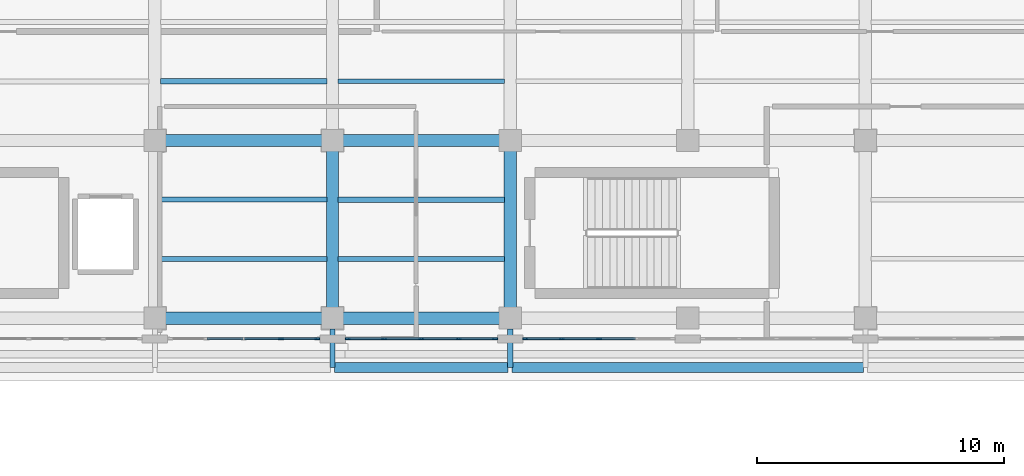
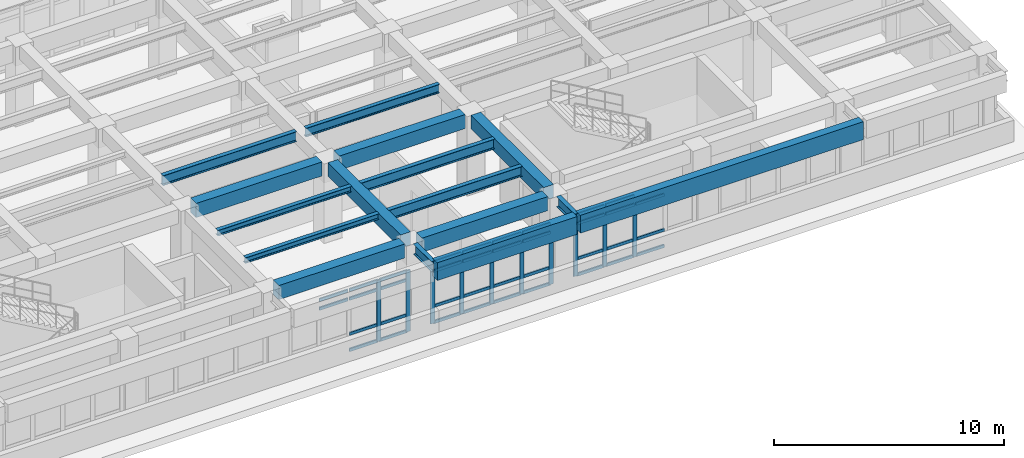
# One storey, part 10 of 69: 47 members, 16 beams, 3 elements without a shape of their own.
"""IFC4 building model written with IfcOpenShell, lengths in metres."""

import ifcopenshell
import ifcopenshell.guid

model = None  # the IFC model being written
_history = None  # IfcOwnerHistory: only IFC2X3 demands one
_inside = {}  # id of a spatial element -> (the spatial element, [elements in it])
_under = {}  # id of a project, library or spatial element -> (it, [spatial elements below it])
_declared = {}  # id of a project -> (the project, [libraries it declares])
_typed = {}  # id of a type object -> (the type object, [elements of that type])
_made_of = {}  # id of a material, layer set ... -> (it, [elements and type objects made of it])


def new_model(schema):
    """Start an empty IFC model of exactly this schema.

    Asked for "IFC4X3", IfcOpenShell would pick the latest addendum, in which some entities
    have other attributes; the version numbers below select the first issue.
    IFC2X3 requires an IfcOwnerHistory on every rooted entity: one is made here for all.
    """
    global model, _history
    if schema == "IFC4X3":
        model = ifcopenshell.file(schema_version=(4, 3, 0, 0))
    else:
        model = ifcopenshell.file(schema=schema)
    _inside.clear()
    _under.clear()
    _declared.clear()
    _typed.clear()
    _made_of.clear()
    _history = None
    if model.schema == "IFC2X3":
        org = make("IfcOrganization", Name="unknown")
        user = make(
            "IfcPersonAndOrganization",
            ThePerson=make("IfcPerson", FamilyName="unknown"),
            TheOrganization=org,
        )
        app = make(
            "IfcApplication",
            ApplicationDeveloper=org,
            Version="unknown",
            ApplicationFullName="unknown",
            ApplicationIdentifier="unknown",
        )
        _history = make(
            "IfcOwnerHistory",
            OwningUser=user,
            OwningApplication=app,
            ChangeAction="ADDED",
            CreationDate=0,
        )
    return model


def make(cls, **values):
    """One entity of the class cls with the attributes given. An attribute that is None is left unset."""
    return model.create_entity(
        cls, **{name: value for name, value in values.items() if value is not None}
    )


def rooted(cls, **values):
    """An entity with a GlobalId (a new one), such as an element, a storey or a relation."""
    return make(cls, GlobalId=ifcopenshell.guid.new(), OwnerHistory=_history, **values)


def si_unit(unit_type, name, prefix=None):
    """IfcSIUnit, for example si_unit("LENGTHUNIT", "METRE", prefix="MILLI")."""
    return make("IfcSIUnit", UnitType=unit_type, Prefix=prefix, Name=name)


def assignment(units):
    """IfcUnitAssignment: the units of a project."""
    return None if units is None else make("IfcUnitAssignment", Units=units)


def point(xyz):
    """IfcCartesianPoint."""
    return None if xyz is None else make("IfcCartesianPoint", Coordinates=xyz)


def direction(xyz):
    """IfcDirection."""
    return None if xyz is None else make("IfcDirection", DirectionRatios=xyz)


def frame(location, z_axis=None, x_axis=None):
    """IfcAxis2Placement3D, a coordinate frame: its origin and axes. An axis left out is left unset."""
    return make(
        "IfcAxis2Placement3D",
        Location=point(location),
        Axis=direction(z_axis),
        RefDirection=direction(x_axis),
    )


def frame_2d(location, x_axis=None):
    """IfcAxis2Placement2D, a coordinate frame in the plane: its origin and x axis."""
    return make(
        "IfcAxis2Placement2D", Location=point(location), RefDirection=direction(x_axis)
    )


def origin():
    """The frame at (0, 0, 0) with its axes left unset."""
    return frame((0.0, 0.0, 0.0))


def origin_2d():
    """The frame at (0, 0) in the plane with its x axis left unset."""
    return frame_2d((0.0, 0.0))


def place(relative_to, where):
    """IfcLocalPlacement: puts the frame where relative to a parent placement (None: the world)."""
    return make(
        "IfcLocalPlacement", PlacementRelTo=relative_to, RelativePlacement=where
    )


def context(
    kind, dimensions, precision=None, world=None, true_north=None, identifier=None
):
    """IfcGeometricRepresentationContext, for example the 3D "Model" context."""
    return make(
        "IfcGeometricRepresentationContext",
        ContextIdentifier=identifier,
        ContextType=kind,
        CoordinateSpaceDimension=dimensions,
        Precision=precision,
        WorldCoordinateSystem=world,
        TrueNorth=true_north,
    )


def subcontext(parent, identifier, kind, view, scale=None):
    """IfcGeometricRepresentationSubContext, for example "Body" below "Model"."""
    return make(
        "IfcGeometricRepresentationSubContext",
        ContextIdentifier=identifier,
        ContextType=kind,
        ParentContext=parent,
        TargetScale=scale,
        TargetView=view,
    )


def project(units=None, contexts=None):
    """IfcProject with its units and contexts."""
    return rooted(
        "IfcProject",
        Name="project",
        RepresentationContexts=contexts,
        UnitsInContext=assignment(units),
    )


def spatial(cls, under=None, at=None, **own):
    """A site, building, storey or space (cls), placed at a placement, below another one or the project."""
    s = rooted(cls, ObjectPlacement=at, **own)
    if under is not None:
        _under.setdefault(under.id(), (under, []))[1].append(s)
    return s


def profile(cls, at=None, kind="AREA", **sizes):
    """A parametric profile (cls). Its sizes go by their IFC names, for example OverallWidth=200.0."""
    return make(cls, ProfileType=kind, Position=at, **sizes)


def rectangle(**sizes):
    """IfcRectangleProfileDef."""
    return profile("IfcRectangleProfileDef", **sizes)


def i_section(**sizes):
    """IfcIShapeProfileDef."""
    return profile("IfcIShapeProfileDef", **sizes)


def extrude(swept, where, along, depth):
    """IfcExtrudedAreaSolid: the profile swept, set in the frame where, extruded along a direction by depth."""
    return make(
        "IfcExtrudedAreaSolid",
        SweptArea=swept,
        Position=where,
        ExtrudedDirection=direction(along),
        Depth=depth,
    )


def shape(context_of_items, identifier, shape_type, items):
    """IfcShapeRepresentation: the items that make up one representation, for example the "Body"."""
    return make(
        "IfcShapeRepresentation",
        ContextOfItems=context_of_items,
        RepresentationIdentifier=identifier,
        RepresentationType=shape_type,
        Items=items,
    )


def material(Name=None, Category=None):
    """IfcMaterial."""
    return make("IfcMaterial", Name=Name, Category=Category)


def layer(
    of_material, thickness, ventilated=None, Name=None, Category=None, Priority=None
):
    """IfcMaterialLayer: one layer of a wall or slab, of a material (None: an air gap)."""
    return make(
        "IfcMaterialLayer",
        Material=of_material,
        LayerThickness=thickness,
        IsVentilated=ventilated,
        Name=Name,
        Category=Category,
        Priority=Priority,
    )


def layer_set(layers, Name=None):
    """IfcMaterialLayerSet."""
    return make("IfcMaterialLayerSet", MaterialLayers=layers, LayerSetName=Name)


def material_profile(
    of_material, cross_section, Name=None, Category=None, Priority=None
):
    """IfcMaterialProfile: a cross section and its material."""
    return make(
        "IfcMaterialProfile",
        Name=Name,
        Material=of_material,
        Profile=cross_section,
        Priority=Priority,
        Category=Category,
    )


def profile_set(profiles, Name=None, composite=None):
    """IfcMaterialProfileSet."""
    return make(
        "IfcMaterialProfileSet",
        Name=Name,
        MaterialProfiles=profiles,
        CompositeProfile=composite,
    )


def made_of(thing, what):
    """Note that an element or type object is made of a material, layer set ...; save() writes the relation."""
    if what is not None:
        _made_of.setdefault(what.id(), (what, []))[1].append(thing)
    return thing


def type_object(cls, material=None, **own):
    """A type object (cls), such as IfcWallType, which elements share."""
    return made_of(rooted(cls, **own), material)


def element(
    cls,
    number,
    at=None,
    inside=None,
    cuts=None,
    type_object=None,
    material=None,
    context=None,
    identifier="Body",
    shape_type=None,
    held_by="IfcProductDefinitionShape",
    body=None,
    shapes=None,
    **own,
):
    """One element of the class cls, such as IfcWall. Its Tag is "e" and its number.

    at: its placement. inside: the storey or other place that contains it. cuts: it is an
    opening in that element (IfcRelVoidsElement). A single representation is given by context,
    identifier, shape_type and body (its items); several are given by shapes. held_by: the class
    of the entity that holds the representations. save() writes the other relations.
    """
    e = rooted(cls, Tag="e%d" % number, ObjectPlacement=at, **own)
    if body is not None:
        shapes = [shape(context, identifier, shape_type, body)]
    if shapes is not None:
        e.Representation = make(held_by, Representations=shapes)
    if inside is not None:
        _inside.setdefault(inside.id(), (inside, []))[1].append(e)
    if cuts is not None:
        rooted(
            "IfcRelVoidsElement", RelatingBuildingElement=cuts, RelatedOpeningElement=e
        )
    if type_object is not None:
        _typed.setdefault(type_object.id(), (type_object, []))[1].append(e)
    return made_of(e, material)


def aggregate(whole, parts):
    """IfcRelAggregates: a whole, such as a stair, and the parts it consists of."""
    return rooted("IfcRelAggregates", RelatingObject=whole, RelatedObjects=parts)


def save(model, path):
    """Write the relations noted so far, then the file.

    IfcRelAggregates (storeys below a building ...), IfcRelContainedInSpatialStructure (elements
    in a storey), IfcRelDefinesByType, IfcRelAssociatesMaterial and IfcRelDeclares: one each for
    every whole, place, type object, material and project.
    """
    for whole, parts in _under.values():
        aggregate(whole, parts)
    for where, things in _inside.values():
        rooted(
            "IfcRelContainedInSpatialStructure",
            RelatedElements=things,
            RelatingStructure=where,
        )
    for kind, things in _typed.values():
        rooted("IfcRelDefinesByType", RelatedObjects=things, RelatingType=kind)
    for what, things in _made_of.values():
        rooted("IfcRelAssociatesMaterial", RelatedObjects=things, RelatingMaterial=what)
    for by, libraries in _declared.values():
        rooted("IfcRelDeclares", RelatingContext=by, RelatedDefinitions=libraries)
    model.write(path)


model = new_model("IFC4")

# Units and contexts
model_context = context("Model", 3, precision=1e-05, world=origin(), true_north=direction((0.0, 1.0)))
body_context = subcontext(model_context, "Body", "Model", "MODEL_VIEW")
ifc_project = project(units=[si_unit("LENGTHUNIT", "METRE"), si_unit("AREAUNIT", "SQUARE_METRE"), si_unit("VOLUMEUNIT", "CUBIC_METRE"), si_unit("PLANEANGLEUNIT", "RADIAN"), si_unit("MASSUNIT", "GRAM", prefix="KILO")], contexts=[model_context])

# Site, building, storey
site_placement = place(None, origin())
site = spatial("IfcSite", under=ifc_project, at=site_placement, CompositionType="ELEMENT")
building_placement = place(site_placement, origin())
building = spatial("IfcBuilding", under=site, at=building_placement, Name="Solenvale Faculty of Natural Sciences", CompositionType="ELEMENT")
storey_placement = place(building_placement, frame((0.0, 0.0, 4.5)))
storey = spatial("IfcBuildingStorey", under=building, at=storey_placement, Name="L01", CompositionType="ELEMENT", Elevation=4.5)

# Beams
ifc_material_1 = material(Name="Concrete 40 MPa", Category="concrete")
ifc_material_profile_1 = material_profile(ifc_material_1, rectangle(XDim=0.5, YDim=0.699951171875, at=origin_2d()), Name="RC-BM-500x700")
ifc_profile_set_1 = profile_set([ifc_material_profile_1], Name="Concrete 40 MPa")
beam_type_1 = type_object("IfcBeamType", Name="BM-RC-500x700", PredefinedType="BEAM", material=ifc_profile_set_1)
for number, where, z_axis, x_axis, name in (
    (1, (86.39990234375, 22.030029296875, 3.8701171875), (0.0, 1.0, 0.0), (-1.0, 0.0, 0.0), "L01 Y-Girder X86.4 (21.6..28.8)"),
    (2, (93.60009765625, 22.030029296875, 3.8701171875), (0.0, 1.0, 0.0), (-1.0, 0.0, 0.0), "L01 Y-Girder X93.6 (21.6..28.8)"),
):
    element("IfcBeam", number, at=place(storey_placement, frame(where, z_axis=z_axis, x_axis=x_axis)), inside=storey, type_object=beam_type_1, Name=name, PredefinedType="BEAM", context=body_context, shape_type="SweptSolid", body=[
        extrude(rectangle(XDim=0.5, YDim=0.699951171875, at=origin_2d()), origin(), (0.0, 0.0, 1.0), 6.340087890625),
    ])
ifc_material_profile_2 = material_profile(ifc_material_1, rectangle(XDim=0.5, YDim=0.75, at=origin_2d()), Name="RC-BM-500x750")
ifc_profile_set_2 = profile_set([ifc_material_profile_2], Name="Concrete 40 MPa")
beam_type_2 = type_object("IfcBeamType", Name="BM-RC-500x750", PredefinedType="BEAM", material=ifc_profile_set_2)
beam_1_placement = place(storey_placement, frame((79.6298828125, 21.60009765625, 3.844970703125), z_axis=(1.0, 0.0, 0.0), x_axis=(0.0, 1.0, 0.0)))
element("IfcBeam", 3, at=beam_1_placement, inside=storey, type_object=beam_type_2, Name="L01 X-Girder Y21.6 (79.2..86.4)", PredefinedType="BEAM", context=body_context, shape_type="SweptSolid", body=[
    extrude(rectangle(XDim=0.5, YDim=0.75, at=origin_2d()), origin(), (0.0, 0.0, 1.0), 6.340087890625),
])
beam_2_placement = place(storey_placement, frame((86.830078125, 21.60009765625, 3.844970703125), z_axis=(1.0, 0.0, 0.0), x_axis=(0.0, 1.0, 0.0)))
element("IfcBeam", 4, at=beam_2_placement, inside=storey, type_object=beam_type_2, Name="L01 X-Girder Y21.6 (86.4..93.6)", PredefinedType="BEAM", context=body_context, shape_type="SweptSolid", body=[
    extrude(rectangle(XDim=0.5, YDim=0.75, at=origin_2d()), origin(), (0.0, 0.0, 1.0), 6.33984375),
])
beam_3_placement = place(storey_placement, frame((79.6298828125, 28.800048828125, 3.844970703125), z_axis=(1.0, 0.0, 0.0), x_axis=(0.0, 1.0, 0.0)))
element("IfcBeam", 5, at=beam_3_placement, inside=storey, type_object=beam_type_2, Name="L01 X-Girder Y28.8 (79.2..86.4)", PredefinedType="BEAM", context=body_context, shape_type="SweptSolid", body=[
    extrude(rectangle(XDim=0.5, YDim=0.75, at=origin_2d()), origin(), (0.0, 0.0, 1.0), 6.340087890625),
])
beam_4_placement = place(storey_placement, frame((86.830078125, 28.800048828125, 3.844970703125), z_axis=(1.0, 0.0, 0.0), x_axis=(0.0, 1.0, 0.0)))
element("IfcBeam", 6, at=beam_4_placement, inside=storey, type_object=beam_type_2, Name="L01 X-Girder Y28.8 (86.4..93.6)", PredefinedType="BEAM", context=body_context, shape_type="SweptSolid", body=[
    extrude(rectangle(XDim=0.5, YDim=0.75, at=origin_2d()), origin(), (0.0, 0.0, 1.0), 6.33984375),
])
ifc_material_2 = material(Name="Architectural bronze concrete 40 MPa", Category="concrete")
ifc_material_profile_3 = material_profile(ifc_material_2, rectangle(XDim=0.39990234375, YDim=0.949951171875, at=origin_2d()), Name="RC-SPN-400x950")
ifc_profile_set_3 = profile_set([ifc_material_profile_3], Name="Architectural bronze concrete 40 MPa")
beam_type_3 = type_object("IfcBeamType", Name="BM-SPN-BRZ-950", PredefinedType="SPANDREL", material=ifc_profile_set_3)
beam_5_placement = place(storey_placement, frame((86.47998046875, 19.60009765625, 3.7451171875), z_axis=(1.0, 0.0, 0.0), x_axis=(0.0, 1.0, 0.0)))
element("IfcBeam", 7, at=beam_5_placement, inside=storey, type_object=beam_type_3, Name="L02 Sliding-Tray South Bronze Fascia 4", PredefinedType="SPANDREL", context=body_context, shape_type="SweptSolid", body=[
    extrude(rectangle(XDim=0.39990234375, YDim=0.949951171875, at=origin_2d()), origin(), (0.0, 0.0, 1.0), 7.0400390625),
])
beam_6_placement = place(storey_placement, frame((93.679931640625, 19.60009765625, 3.7451171875), z_axis=(1.0, 0.0, 0.0), x_axis=(0.0, 1.0, 0.0)))
element("IfcBeam", 8, at=beam_6_placement, inside=storey, type_object=beam_type_3, Name="L02 Sliding-Tray South Bronze Fascia 5", PredefinedType="SPANDREL", context=body_context, shape_type="SweptSolid", body=[
    extrude(rectangle(XDim=0.39990234375, YDim=0.949951171875, at=origin_2d()), origin(), (0.0, 0.0, 1.0), 14.239990234375),
])
ifc_material_3 = material(Name="Steel S355", Category="steel")
ifc_material_profile_4 = material_profile(ifc_material_3, i_section(OverallWidth=0.202880859375, OverallDepth=0.302978515625, WebThickness=0.007568359375, FlangeThickness=0.01318359375, FilletRadius=0.014892578125, at=origin_2d()), Name="W310x60")
ifc_profile_set_4 = profile_set([ifc_material_profile_4], Name="Steel S355")
beam_type_4 = type_object("IfcBeamType", Name="BM-STL-W310x60", PredefinedType="JOIST", material=ifc_profile_set_4)
for number, where, z_axis, x_axis, name in (
    (9, (79.429931640625, 24.0, 4.068603515625), (1.0, 0.0, 0.0), (0.0, 1.0, 0.0), "L01 Composite Floor Joist (12,4).1"),
    (10, (79.429931640625, 26.39990234375, 4.068603515625), (1.0, 0.0, 0.0), (0.0, 1.0, 0.0), "L01 Composite Floor Joist (12,4).2"),
):
    element("IfcBeam", number, at=place(storey_placement, frame(where, z_axis=z_axis, x_axis=x_axis)), inside=storey, type_object=beam_type_4, Name=name, PredefinedType="JOIST", context=body_context, shape_type="SweptSolid", body=[
        extrude(i_section(OverallWidth=0.202880859375, OverallDepth=0.302978515625, WebThickness=0.007568359375, FlangeThickness=0.01318359375, FilletRadius=0.014892578125, at=origin_2d()), origin(), (0.0, 0.0, 1.0), 6.739990234375),
    ])
ifc_material_profile_5 = material_profile(ifc_material_3, i_section(OverallWidth=0.194091796875, OverallDepth=0.468994140625, WebThickness=0.0126953125, FlangeThickness=0.0205078125, FilletRadius=0.01806640625, at=origin_2d()), Name="W460x106")
ifc_profile_set_5 = profile_set([ifc_material_profile_5], Name="Steel S355")
beam_type_5 = type_object("IfcBeamType", Name="BM-STL-W460x106", PredefinedType="JOIST", material=ifc_profile_set_5)
beam_7_placement = place(storey_placement, frame((86.6298828125, 31.199951171875, 3.985595703125), z_axis=(1.0, 0.0, 0.0), x_axis=(0.0, 1.0, 0.0)))
element("IfcBeam", 11, at=beam_7_placement, inside=storey, type_object=beam_type_5, Name="L01 Composite Floor Joist (13,5).1", PredefinedType="JOIST", context=body_context, shape_type="SweptSolid", body=[
    extrude(i_section(OverallWidth=0.194091796875, OverallDepth=0.468994140625, WebThickness=0.0126953125, FlangeThickness=0.0205078125, FilletRadius=0.01806640625, at=origin_2d()), origin(), (0.0, 0.0, 1.0), 6.740234375),
])
ifc_material_profile_6 = material_profile(ifc_material_3, i_section(OverallWidth=0.2119140625, OverallDepth=0.5439453125, WebThickness=0.01318359375, FlangeThickness=0.021240234375, FilletRadius=0.01904296875, at=origin_2d()), Name="W530x123")
ifc_profile_set_6 = profile_set([ifc_material_profile_6], Name="Steel S355")
beam_type_6 = type_object("IfcBeamType", Name="BM-STL-W530x123", PredefinedType="BEAM", material=ifc_profile_set_6)
for number, where, z_axis, x_axis, name in (
    (12, (86.39990234375, 21.169921875, 3.947998046875), (0.0, -1.0, 0.0), (1.0, 0.0, 0.0), "L01 V4 Cantilever Tray Girder X86.4"),
    (13, (93.60009765625, 21.169921875, 3.947998046875), (0.0, -1.0, 0.0), (1.0, 0.0, 0.0), "L01 V4 Cantilever Tray Girder X93.6"),
):
    element("IfcBeam", number, at=place(storey_placement, frame(where, z_axis=z_axis, x_axis=x_axis)), inside=storey, type_object=beam_type_6, Name=name, PredefinedType="BEAM", context=body_context, shape_type="SweptSolid", body=[
        extrude(i_section(OverallWidth=0.2119140625, OverallDepth=0.5439453125, WebThickness=0.01318359375, FlangeThickness=0.021240234375, FilletRadius=0.01904296875, at=origin_2d()), origin(), (0.0, 0.0, 1.0), 1.56982421875),
    ])
ifc_material_profile_7 = material_profile(ifc_material_3, i_section(OverallWidth=0.208984375, OverallDepth=0.532958984375, WebThickness=0.01025390625, FlangeThickness=0.015625, FilletRadius=0.01904296875, at=origin_2d()), Name="W530x92")
ifc_profile_set_7 = profile_set([ifc_material_profile_7], Name="Steel S355")
beam_type_7 = type_object("IfcBeamType", Name="BM-STL-W530x92", PredefinedType="JOIST", material=ifc_profile_set_7)
beam_8_placement = place(storey_placement, frame((79.429931640625, 31.199951171875, 3.95361328125), z_axis=(1.0, 0.0, 0.0), x_axis=(0.0, 1.0, 0.0)))
element("IfcBeam", 14, at=beam_8_placement, inside=storey, type_object=beam_type_7, Name="L01 Composite Floor Joist (12,5).1", PredefinedType="JOIST", context=body_context, shape_type="SweptSolid", body=[
    extrude(i_section(OverallWidth=0.208984375, OverallDepth=0.532958984375, WebThickness=0.01025390625, FlangeThickness=0.015625, FilletRadius=0.01904296875, at=origin_2d()), origin(), (0.0, 0.0, 1.0), 6.739990234375),
])
for number, where, z_axis, x_axis, name in (
    (15, (86.6298828125, 24.0, 3.95361328125), (1.0, 0.0, 0.0), (0.0, 1.0, 0.0), "L01 Composite Floor Joist (13,4).1"),
    (16, (86.6298828125, 26.39990234375, 3.95361328125), (1.0, 0.0, 0.0), (0.0, 1.0, 0.0), "L01 Composite Floor Joist (13,4).2"),
):
    element("IfcBeam", number, at=place(storey_placement, frame(where, z_axis=z_axis, x_axis=x_axis)), inside=storey, type_object=beam_type_7, Name=name, PredefinedType="JOIST", context=body_context, shape_type="SweptSolid", body=[
        extrude(i_section(OverallWidth=0.208984375, OverallDepth=0.532958984375, WebThickness=0.01025390625, FlangeThickness=0.015625, FilletRadius=0.01904296875, at=origin_2d()), origin(), (0.0, 0.0, 1.0), 6.740234375),
    ])

# Curtain wall, members
ifc_material_4 = material(Name="Anodised bronze aluminium", Category="aluminium")
ifc_layer = layer(ifc_material_4, 0.18994140625)
ifc_layer_set = layer_set([ifc_layer], Name="Anodised bronze aluminium")
curtain_wall_type = type_object("IfcCurtainWallType", Name="CW-TRAY-REC", PredefinedType="USERDEFINED", material=ifc_layer_set)
curtain_wall_1_placement = place(storey_placement, origin())
curtain_wall_1 = element("IfcCurtainWall", 17, at=curtain_wall_1_placement, inside=storey, type_object=curtain_wall_type, Name="L01 Curtain Wall CW-L01-P1-E5-B4", ObjectType="UNITISED CURTAIN WALL", PredefinedType="USERDEFINED")
ifc_material_profile_8 = material_profile(ifc_material_4, rectangle(XDim=0.074951171875, YDim=0.2099609375, at=origin_2d()), Name="ALU-MUL-75x210")
ifc_profile_set_8 = profile_set([ifc_material_profile_8], Name="Anodised bronze aluminium")
member_type_1 = type_object("IfcMemberType", Name="CWM-ALU-75x210", PredefinedType="MULLION", material=ifc_profile_set_8)
member_1_placement = place(storey_placement, frame((84.31005859375, 20.762451171875, 0.0), z_axis=(0.0, 0.0, 1.0), x_axis=(0.0, 1.0, 0.0)))
member_1 = element("IfcMember", 18, at=member_1_placement, type_object=member_type_1, Name="CW-02 mullion 4", PredefinedType="MULLION", context=body_context, shape_type="SweptSolid", body=[
    extrude(rectangle(XDim=0.074951171875, YDim=0.2099609375, at=origin_2d()), origin(), (0.0, 0.0, 1.0), 3.260009765625),
])
member_2_placement = place(storey_placement, frame((85.782470703125, 20.762451171875, 0.0), z_axis=(0.0, 0.0, 1.0), x_axis=(0.0, 1.0, 0.0)))
member_2 = element("IfcMember", 19, at=member_2_placement, type_object=member_type_1, Name="CW-02 mullion 5", PredefinedType="MULLION", context=body_context, shape_type="SweptSolid", body=[
    extrude(rectangle(XDim=0.074951171875, YDim=0.2099609375, at=origin_2d()), origin(), (0.0, 0.0, 1.0), 3.260009765625),
])

curtain_wall_2_placement = place(storey_placement, origin())
curtain_wall_2 = element("IfcCurtainWall", 20, at=curtain_wall_2_placement, inside=storey, type_object=curtain_wall_type, Name="L01 Curtain Wall CW-L01-P1-E5-B5", ObjectType="UNITISED CURTAIN WALL", PredefinedType="USERDEFINED")
member_3_placement = place(storey_placement, frame((87.017578125, 20.762451171875, 0.0), z_axis=(0.0, 0.0, 1.0), x_axis=(0.0, 1.0, 0.0)))
member_3 = element("IfcMember", 21, at=member_3_placement, type_object=member_type_1, Name="CW-02 mullion 1", PredefinedType="MULLION", context=body_context, shape_type="SweptSolid", body=[
    extrude(rectangle(XDim=0.074951171875, YDim=0.2099609375, at=origin_2d()), origin(), (0.0, 0.0, 1.0), 3.260009765625),
])
member_4_placement = place(storey_placement, frame((88.489990234375, 20.762451171875, 0.0), z_axis=(0.0, 0.0, 1.0), x_axis=(0.0, 1.0, 0.0)))
member_4 = element("IfcMember", 22, at=member_4_placement, type_object=member_type_1, Name="CW-02 mullion 2", PredefinedType="MULLION", context=body_context, shape_type="SweptSolid", body=[
    extrude(rectangle(XDim=0.074951171875, YDim=0.2099609375, at=origin_2d()), origin(), (0.0, 0.0, 1.0), 3.260009765625),
])
member_5_placement = place(storey_placement, frame((90.0, 20.762451171875, 0.0), z_axis=(0.0, 0.0, 1.0), x_axis=(0.0, 1.0, 0.0)))
member_5 = element("IfcMember", 23, at=member_5_placement, type_object=member_type_1, Name="CW-02 mullion 3", PredefinedType="MULLION", context=body_context, shape_type="SweptSolid", body=[
    extrude(rectangle(XDim=0.074951171875, YDim=0.2099609375, at=origin_2d()), origin(), (0.0, 0.0, 1.0), 3.260009765625),
])
member_6_placement = place(storey_placement, frame((91.510009765625, 20.762451171875, 0.0), z_axis=(0.0, 0.0, 1.0), x_axis=(0.0, 1.0, 0.0)))
member_6 = element("IfcMember", 24, at=member_6_placement, type_object=member_type_1, Name="CW-02 mullion 4", PredefinedType="MULLION", context=body_context, shape_type="SweptSolid", body=[
    extrude(rectangle(XDim=0.074951171875, YDim=0.2099609375, at=origin_2d()), origin(), (0.0, 0.0, 1.0), 3.260009765625),
])
member_7_placement = place(storey_placement, frame((92.982421875, 20.762451171875, 0.0), z_axis=(0.0, 0.0, 1.0), x_axis=(0.0, 1.0, 0.0)))
member_7 = element("IfcMember", 25, at=member_7_placement, type_object=member_type_1, Name="CW-02 mullion 5", PredefinedType="MULLION", context=body_context, shape_type="SweptSolid", body=[
    extrude(rectangle(XDim=0.074951171875, YDim=0.2099609375, at=origin_2d()), origin(), (0.0, 0.0, 1.0), 3.260009765625),
])

curtain_wall_3_placement = place(storey_placement, origin())
curtain_wall_3 = element("IfcCurtainWall", 26, at=curtain_wall_3_placement, inside=storey, type_object=curtain_wall_type, Name="L01 Curtain Wall CW-L01-P1-E5-B6", ObjectType="UNITISED CURTAIN WALL", PredefinedType="USERDEFINED")
member_8_placement = place(storey_placement, frame((94.217529296875, 20.762451171875, 0.0), z_axis=(0.0, 0.0, 1.0), x_axis=(0.0, 1.0, 0.0)))
member_8 = element("IfcMember", 27, at=member_8_placement, type_object=member_type_1, Name="CW-02 mullion 1", PredefinedType="MULLION", context=body_context, shape_type="SweptSolid", body=[
    extrude(rectangle(XDim=0.074951171875, YDim=0.2099609375, at=origin_2d()), origin(), (0.0, 0.0, 1.0), 3.260009765625),
])
member_9_placement = place(storey_placement, frame((95.68994140625, 20.762451171875, 0.0), z_axis=(0.0, 0.0, 1.0), x_axis=(0.0, 1.0, 0.0)))
member_9 = element("IfcMember", 28, at=member_9_placement, type_object=member_type_1, Name="CW-02 mullion 2", PredefinedType="MULLION", context=body_context, shape_type="SweptSolid", body=[
    extrude(rectangle(XDim=0.074951171875, YDim=0.2099609375, at=origin_2d()), origin(), (0.0, 0.0, 1.0), 3.260009765625),
])
member_10_placement = place(storey_placement, frame((97.199951171875, 20.762451171875, 0.0), z_axis=(0.0, 0.0, 1.0), x_axis=(0.0, 1.0, 0.0)))
member_10 = element("IfcMember", 29, at=member_10_placement, type_object=member_type_1, Name="CW-02 mullion 3", PredefinedType="MULLION", context=body_context, shape_type="SweptSolid", body=[
    extrude(rectangle(XDim=0.074951171875, YDim=0.2099609375, at=origin_2d()), origin(), (0.0, 0.0, 1.0), 3.260009765625),
])

# Member
ifc_material_profile_9 = material_profile(ifc_material_4, rectangle(XDim=0.074951171875, YDim=0.155029296875, at=origin_2d()), Name="ALU-TRN-75x155")
ifc_profile_set_9 = profile_set([ifc_material_profile_9], Name="Anodised bronze aluminium")
member_type_2 = type_object("IfcMemberType", Name="CWT-ALU-75x155", PredefinedType="USERDEFINED", material=ifc_profile_set_9)
member_11_placement = place(storey_placement, frame((81.327392578125, 20.762451171875, 2.760009765625), z_axis=(1.0, 0.0, 0.0), x_axis=(0.0, 1.0, 0.0)))
member_11 = element("IfcMember", 30, at=member_11_placement, type_object=member_type_2, Name="CW-02 transom 2.3", ObjectType="TRANSOM", PredefinedType="USERDEFINED", context=body_context, shape_type="SweptSolid", body=[
    extrude(rectangle(XDim=0.074951171875, YDim=0.155029296875, at=origin_2d()), origin(), (0.0, 0.0, 1.0), 1.43505859375),
])

member_12_placement = place(storey_placement, frame((81.327392578125, 20.762451171875, 3.222412109375), z_axis=(1.0, 0.0, 0.0), x_axis=(0.0, 1.0, 0.0)))
member_12 = element("IfcMember", 31, at=member_12_placement, type_object=member_type_2, Name="CW-02 transom 2.4", ObjectType="TRANSOM", PredefinedType="USERDEFINED", context=body_context, shape_type="SweptSolid", body=[
    extrude(rectangle(XDim=0.074951171875, YDim=0.155029296875, at=origin_2d()), origin(), (0.0, 0.0, 1.0), 1.43505859375),
])

member_13_placement = place(storey_placement, frame((82.83740234375, 20.762451171875, 0.03759765625), z_axis=(1.0, 0.0, 0.0), x_axis=(0.0, 1.0, 0.0)))
member_13 = element("IfcMember", 32, at=member_13_placement, type_object=member_type_2, Name="CW-02 transom 3.1", ObjectType="TRANSOM", PredefinedType="USERDEFINED", context=body_context, shape_type="SweptSolid", body=[
    extrude(rectangle(XDim=0.074951171875, YDim=0.155029296875, at=origin_2d()), origin(), (0.0, 0.0, 1.0), 1.43505859375),
])

member_14_placement = place(storey_placement, frame((82.83740234375, 20.762451171875, 0.89990234375), z_axis=(1.0, 0.0, 0.0), x_axis=(0.0, 1.0, 0.0)))
member_14 = element("IfcMember", 33, at=member_14_placement, type_object=member_type_2, Name="CW-02 transom 3.2", ObjectType="TRANSOM", PredefinedType="USERDEFINED", context=body_context, shape_type="SweptSolid", body=[
    extrude(rectangle(XDim=0.074951171875, YDim=0.155029296875, at=origin_2d()), origin(), (0.0, 0.0, 1.0), 1.43505859375),
])

member_15_placement = place(storey_placement, frame((82.83740234375, 20.762451171875, 2.760009765625), z_axis=(1.0, 0.0, 0.0), x_axis=(0.0, 1.0, 0.0)))
member_15 = element("IfcMember", 34, at=member_15_placement, type_object=member_type_2, Name="CW-02 transom 3.3", ObjectType="TRANSOM", PredefinedType="USERDEFINED", context=body_context, shape_type="SweptSolid", body=[
    extrude(rectangle(XDim=0.074951171875, YDim=0.155029296875, at=origin_2d()), origin(), (0.0, 0.0, 1.0), 1.43505859375),
])

member_16_placement = place(storey_placement, frame((82.83740234375, 20.762451171875, 3.222412109375), z_axis=(1.0, 0.0, 0.0), x_axis=(0.0, 1.0, 0.0)))
member_16 = element("IfcMember", 35, at=member_16_placement, type_object=member_type_2, Name="CW-02 transom 3.4", ObjectType="TRANSOM", PredefinedType="USERDEFINED", context=body_context, shape_type="SweptSolid", body=[
    extrude(rectangle(XDim=0.074951171875, YDim=0.155029296875, at=origin_2d()), origin(), (0.0, 0.0, 1.0), 1.43505859375),
])

member_17_placement = place(storey_placement, frame((84.347412109375, 20.762451171875, 0.03759765625), z_axis=(1.0, 0.0, 0.0), x_axis=(0.0, 1.0, 0.0)))
member_17 = element("IfcMember", 36, at=member_17_placement, type_object=member_type_2, Name="CW-02 transom 4.1", ObjectType="TRANSOM", PredefinedType="USERDEFINED", context=body_context, shape_type="SweptSolid", body=[
    extrude(rectangle(XDim=0.074951171875, YDim=0.155029296875, at=origin_2d()), origin(), (0.0, 0.0, 1.0), 1.397705078125),
])

member_18_placement = place(storey_placement, frame((84.347412109375, 20.762451171875, 0.89990234375), z_axis=(1.0, 0.0, 0.0), x_axis=(0.0, 1.0, 0.0)))
member_18 = element("IfcMember", 37, at=member_18_placement, type_object=member_type_2, Name="CW-02 transom 4.2", ObjectType="TRANSOM", PredefinedType="USERDEFINED", context=body_context, shape_type="SweptSolid", body=[
    extrude(rectangle(XDim=0.074951171875, YDim=0.155029296875, at=origin_2d()), origin(), (0.0, 0.0, 1.0), 1.397705078125),
])

member_19_placement = place(storey_placement, frame((84.347412109375, 20.762451171875, 2.760009765625), z_axis=(1.0, 0.0, 0.0), x_axis=(0.0, 1.0, 0.0)))
member_19 = element("IfcMember", 38, at=member_19_placement, type_object=member_type_2, Name="CW-02 transom 4.3", ObjectType="TRANSOM", PredefinedType="USERDEFINED", context=body_context, shape_type="SweptSolid", body=[
    extrude(rectangle(XDim=0.074951171875, YDim=0.155029296875, at=origin_2d()), origin(), (0.0, 0.0, 1.0), 1.397705078125),
])

member_20_placement = place(storey_placement, frame((84.347412109375, 20.762451171875, 3.222412109375), z_axis=(1.0, 0.0, 0.0), x_axis=(0.0, 1.0, 0.0)))
member_20 = element("IfcMember", 39, at=member_20_placement, type_object=member_type_2, Name="CW-02 transom 4.4", ObjectType="TRANSOM", PredefinedType="USERDEFINED", context=body_context, shape_type="SweptSolid", body=[
    extrude(rectangle(XDim=0.074951171875, YDim=0.155029296875, at=origin_2d()), origin(), (0.0, 0.0, 1.0), 1.397705078125),
])

aggregate(curtain_wall_1, [member_1, member_2, member_11, member_12, member_13, member_14, member_15, member_16, member_17, member_18, member_19, member_20])

member_21_placement = place(storey_placement, frame((87.054931640625, 20.762451171875, 0.03759765625), z_axis=(1.0, 0.0, 0.0), x_axis=(0.0, 1.0, 0.0)))
member_21 = element("IfcMember", 40, at=member_21_placement, type_object=member_type_2, Name="CW-02 transom 1.1", ObjectType="TRANSOM", PredefinedType="USERDEFINED", context=body_context, shape_type="SweptSolid", body=[
    extrude(rectangle(XDim=0.074951171875, YDim=0.155029296875, at=origin_2d()), origin(), (0.0, 0.0, 1.0), 1.3974609375),
])

member_22_placement = place(storey_placement, frame((87.054931640625, 20.762451171875, 0.89990234375), z_axis=(1.0, 0.0, 0.0), x_axis=(0.0, 1.0, 0.0)))
member_22 = element("IfcMember", 41, at=member_22_placement, type_object=member_type_2, Name="CW-02 transom 1.2", ObjectType="TRANSOM", PredefinedType="USERDEFINED", context=body_context, shape_type="SweptSolid", body=[
    extrude(rectangle(XDim=0.074951171875, YDim=0.155029296875, at=origin_2d()), origin(), (0.0, 0.0, 1.0), 1.3974609375),
])

member_23_placement = place(storey_placement, frame((87.054931640625, 20.762451171875, 2.760009765625), z_axis=(1.0, 0.0, 0.0), x_axis=(0.0, 1.0, 0.0)))
member_23 = element("IfcMember", 42, at=member_23_placement, type_object=member_type_2, Name="CW-02 transom 1.3", ObjectType="TRANSOM", PredefinedType="USERDEFINED", context=body_context, shape_type="SweptSolid", body=[
    extrude(rectangle(XDim=0.074951171875, YDim=0.155029296875, at=origin_2d()), origin(), (0.0, 0.0, 1.0), 1.3974609375),
])

member_24_placement = place(storey_placement, frame((87.054931640625, 20.762451171875, 3.222412109375), z_axis=(1.0, 0.0, 0.0), x_axis=(0.0, 1.0, 0.0)))
member_24 = element("IfcMember", 43, at=member_24_placement, type_object=member_type_2, Name="CW-02 transom 1.4", ObjectType="TRANSOM", PredefinedType="USERDEFINED", context=body_context, shape_type="SweptSolid", body=[
    extrude(rectangle(XDim=0.074951171875, YDim=0.155029296875, at=origin_2d()), origin(), (0.0, 0.0, 1.0), 1.3974609375),
])

member_25_placement = place(storey_placement, frame((88.527587890625, 20.762451171875, 0.03759765625), z_axis=(1.0, 0.0, 0.0), x_axis=(0.0, 1.0, 0.0)))
member_25 = element("IfcMember", 44, at=member_25_placement, type_object=member_type_2, Name="CW-02 transom 2.1", ObjectType="TRANSOM", PredefinedType="USERDEFINED", context=body_context, shape_type="SweptSolid", body=[
    extrude(rectangle(XDim=0.074951171875, YDim=0.155029296875, at=origin_2d()), origin(), (0.0, 0.0, 1.0), 1.434814453125),
])

member_26_placement = place(storey_placement, frame((88.527587890625, 20.762451171875, 0.89990234375), z_axis=(1.0, 0.0, 0.0), x_axis=(0.0, 1.0, 0.0)))
member_26 = element("IfcMember", 45, at=member_26_placement, type_object=member_type_2, Name="CW-02 transom 2.2", ObjectType="TRANSOM", PredefinedType="USERDEFINED", context=body_context, shape_type="SweptSolid", body=[
    extrude(rectangle(XDim=0.074951171875, YDim=0.155029296875, at=origin_2d()), origin(), (0.0, 0.0, 1.0), 1.434814453125),
])

member_27_placement = place(storey_placement, frame((88.527587890625, 20.762451171875, 2.760009765625), z_axis=(1.0, 0.0, 0.0), x_axis=(0.0, 1.0, 0.0)))
member_27 = element("IfcMember", 46, at=member_27_placement, type_object=member_type_2, Name="CW-02 transom 2.3", ObjectType="TRANSOM", PredefinedType="USERDEFINED", context=body_context, shape_type="SweptSolid", body=[
    extrude(rectangle(XDim=0.074951171875, YDim=0.155029296875, at=origin_2d()), origin(), (0.0, 0.0, 1.0), 1.434814453125),
])

member_28_placement = place(storey_placement, frame((88.527587890625, 20.762451171875, 3.222412109375), z_axis=(1.0, 0.0, 0.0), x_axis=(0.0, 1.0, 0.0)))
member_28 = element("IfcMember", 47, at=member_28_placement, type_object=member_type_2, Name="CW-02 transom 2.4", ObjectType="TRANSOM", PredefinedType="USERDEFINED", context=body_context, shape_type="SweptSolid", body=[
    extrude(rectangle(XDim=0.074951171875, YDim=0.155029296875, at=origin_2d()), origin(), (0.0, 0.0, 1.0), 1.434814453125),
])

member_29_placement = place(storey_placement, frame((90.03759765625, 20.762451171875, 0.03759765625), z_axis=(1.0, 0.0, 0.0), x_axis=(0.0, 1.0, 0.0)))
member_29 = element("IfcMember", 48, at=member_29_placement, type_object=member_type_2, Name="CW-02 transom 3.1", ObjectType="TRANSOM", PredefinedType="USERDEFINED", context=body_context, shape_type="SweptSolid", body=[
    extrude(rectangle(XDim=0.074951171875, YDim=0.155029296875, at=origin_2d()), origin(), (0.0, 0.0, 1.0), 1.434814453125),
])

member_30_placement = place(storey_placement, frame((90.03759765625, 20.762451171875, 0.89990234375), z_axis=(1.0, 0.0, 0.0), x_axis=(0.0, 1.0, 0.0)))
member_30 = element("IfcMember", 49, at=member_30_placement, type_object=member_type_2, Name="CW-02 transom 3.2", ObjectType="TRANSOM", PredefinedType="USERDEFINED", context=body_context, shape_type="SweptSolid", body=[
    extrude(rectangle(XDim=0.074951171875, YDim=0.155029296875, at=origin_2d()), origin(), (0.0, 0.0, 1.0), 1.434814453125),
])

member_31_placement = place(storey_placement, frame((90.03759765625, 20.762451171875, 2.760009765625), z_axis=(1.0, 0.0, 0.0), x_axis=(0.0, 1.0, 0.0)))
member_31 = element("IfcMember", 50, at=member_31_placement, type_object=member_type_2, Name="CW-02 transom 3.3", ObjectType="TRANSOM", PredefinedType="USERDEFINED", context=body_context, shape_type="SweptSolid", body=[
    extrude(rectangle(XDim=0.074951171875, YDim=0.155029296875, at=origin_2d()), origin(), (0.0, 0.0, 1.0), 1.434814453125),
])

member_32_placement = place(storey_placement, frame((90.03759765625, 20.762451171875, 3.222412109375), z_axis=(1.0, 0.0, 0.0), x_axis=(0.0, 1.0, 0.0)))
member_32 = element("IfcMember", 51, at=member_32_placement, type_object=member_type_2, Name="CW-02 transom 3.4", ObjectType="TRANSOM", PredefinedType="USERDEFINED", context=body_context, shape_type="SweptSolid", body=[
    extrude(rectangle(XDim=0.074951171875, YDim=0.155029296875, at=origin_2d()), origin(), (0.0, 0.0, 1.0), 1.434814453125),
])

member_33_placement = place(storey_placement, frame((91.547607421875, 20.762451171875, 0.03759765625), z_axis=(1.0, 0.0, 0.0), x_axis=(0.0, 1.0, 0.0)))
member_33 = element("IfcMember", 52, at=member_33_placement, type_object=member_type_2, Name="CW-02 transom 4.1", ObjectType="TRANSOM", PredefinedType="USERDEFINED", context=body_context, shape_type="SweptSolid", body=[
    extrude(rectangle(XDim=0.074951171875, YDim=0.155029296875, at=origin_2d()), origin(), (0.0, 0.0, 1.0), 1.3974609375),
])

member_34_placement = place(storey_placement, frame((91.547607421875, 20.762451171875, 0.89990234375), z_axis=(1.0, 0.0, 0.0), x_axis=(0.0, 1.0, 0.0)))
member_34 = element("IfcMember", 53, at=member_34_placement, type_object=member_type_2, Name="CW-02 transom 4.2", ObjectType="TRANSOM", PredefinedType="USERDEFINED", context=body_context, shape_type="SweptSolid", body=[
    extrude(rectangle(XDim=0.074951171875, YDim=0.155029296875, at=origin_2d()), origin(), (0.0, 0.0, 1.0), 1.3974609375),
])

member_35_placement = place(storey_placement, frame((91.547607421875, 20.762451171875, 2.760009765625), z_axis=(1.0, 0.0, 0.0), x_axis=(0.0, 1.0, 0.0)))
member_35 = element("IfcMember", 54, at=member_35_placement, type_object=member_type_2, Name="CW-02 transom 4.3", ObjectType="TRANSOM", PredefinedType="USERDEFINED", context=body_context, shape_type="SweptSolid", body=[
    extrude(rectangle(XDim=0.074951171875, YDim=0.155029296875, at=origin_2d()), origin(), (0.0, 0.0, 1.0), 1.3974609375),
])

member_36_placement = place(storey_placement, frame((91.547607421875, 20.762451171875, 3.222412109375), z_axis=(1.0, 0.0, 0.0), x_axis=(0.0, 1.0, 0.0)))
member_36 = element("IfcMember", 55, at=member_36_placement, type_object=member_type_2, Name="CW-02 transom 4.4", ObjectType="TRANSOM", PredefinedType="USERDEFINED", context=body_context, shape_type="SweptSolid", body=[
    extrude(rectangle(XDim=0.074951171875, YDim=0.155029296875, at=origin_2d()), origin(), (0.0, 0.0, 1.0), 1.3974609375),
])

aggregate(curtain_wall_2, [member_3, member_4, member_5, member_6, member_7, member_21, member_22, member_23, member_24, member_25, member_26, member_27, member_28, member_29, member_30, member_31, member_32, member_33, member_34, member_35, member_36])

member_37_placement = place(storey_placement, frame((94.2548828125, 20.762451171875, 0.03759765625), z_axis=(1.0, 0.0, 0.0), x_axis=(0.0, 1.0, 0.0)))
member_37 = element("IfcMember", 56, at=member_37_placement, type_object=member_type_2, Name="CW-02 transom 1.1", ObjectType="TRANSOM", PredefinedType="USERDEFINED", context=body_context, shape_type="SweptSolid", body=[
    extrude(rectangle(XDim=0.074951171875, YDim=0.155029296875, at=origin_2d()), origin(), (0.0, 0.0, 1.0), 1.397705078125),
])

member_38_placement = place(storey_placement, frame((94.2548828125, 20.762451171875, 0.89990234375), z_axis=(1.0, 0.0, 0.0), x_axis=(0.0, 1.0, 0.0)))
member_38 = element("IfcMember", 57, at=member_38_placement, type_object=member_type_2, Name="CW-02 transom 1.2", ObjectType="TRANSOM", PredefinedType="USERDEFINED", context=body_context, shape_type="SweptSolid", body=[
    extrude(rectangle(XDim=0.074951171875, YDim=0.155029296875, at=origin_2d()), origin(), (0.0, 0.0, 1.0), 1.397705078125),
])

member_39_placement = place(storey_placement, frame((94.2548828125, 20.762451171875, 2.760009765625), z_axis=(1.0, 0.0, 0.0), x_axis=(0.0, 1.0, 0.0)))
member_39 = element("IfcMember", 58, at=member_39_placement, type_object=member_type_2, Name="CW-02 transom 1.3", ObjectType="TRANSOM", PredefinedType="USERDEFINED", context=body_context, shape_type="SweptSolid", body=[
    extrude(rectangle(XDim=0.074951171875, YDim=0.155029296875, at=origin_2d()), origin(), (0.0, 0.0, 1.0), 1.397705078125),
])

member_40_placement = place(storey_placement, frame((94.2548828125, 20.762451171875, 3.222412109375), z_axis=(1.0, 0.0, 0.0), x_axis=(0.0, 1.0, 0.0)))
member_40 = element("IfcMember", 59, at=member_40_placement, type_object=member_type_2, Name="CW-02 transom 1.4", ObjectType="TRANSOM", PredefinedType="USERDEFINED", context=body_context, shape_type="SweptSolid", body=[
    extrude(rectangle(XDim=0.074951171875, YDim=0.155029296875, at=origin_2d()), origin(), (0.0, 0.0, 1.0), 1.397705078125),
])

member_41_placement = place(storey_placement, frame((95.7275390625, 20.762451171875, 0.03759765625), z_axis=(1.0, 0.0, 0.0), x_axis=(0.0, 1.0, 0.0)))
member_41 = element("IfcMember", 60, at=member_41_placement, type_object=member_type_2, Name="CW-02 transom 2.1", ObjectType="TRANSOM", PredefinedType="USERDEFINED", context=body_context, shape_type="SweptSolid", body=[
    extrude(rectangle(XDim=0.074951171875, YDim=0.155029296875, at=origin_2d()), origin(), (0.0, 0.0, 1.0), 1.43505859375),
])

member_42_placement = place(storey_placement, frame((95.7275390625, 20.762451171875, 0.89990234375), z_axis=(1.0, 0.0, 0.0), x_axis=(0.0, 1.0, 0.0)))
member_42 = element("IfcMember", 61, at=member_42_placement, type_object=member_type_2, Name="CW-02 transom 2.2", ObjectType="TRANSOM", PredefinedType="USERDEFINED", context=body_context, shape_type="SweptSolid", body=[
    extrude(rectangle(XDim=0.074951171875, YDim=0.155029296875, at=origin_2d()), origin(), (0.0, 0.0, 1.0), 1.43505859375),
])

member_43_placement = place(storey_placement, frame((95.7275390625, 20.762451171875, 2.760009765625), z_axis=(1.0, 0.0, 0.0), x_axis=(0.0, 1.0, 0.0)))
member_43 = element("IfcMember", 62, at=member_43_placement, type_object=member_type_2, Name="CW-02 transom 2.3", ObjectType="TRANSOM", PredefinedType="USERDEFINED", context=body_context, shape_type="SweptSolid", body=[
    extrude(rectangle(XDim=0.074951171875, YDim=0.155029296875, at=origin_2d()), origin(), (0.0, 0.0, 1.0), 1.43505859375),
])

member_44_placement = place(storey_placement, frame((95.7275390625, 20.762451171875, 3.222412109375), z_axis=(1.0, 0.0, 0.0), x_axis=(0.0, 1.0, 0.0)))
member_44 = element("IfcMember", 63, at=member_44_placement, type_object=member_type_2, Name="CW-02 transom 2.4", ObjectType="TRANSOM", PredefinedType="USERDEFINED", context=body_context, shape_type="SweptSolid", body=[
    extrude(rectangle(XDim=0.074951171875, YDim=0.155029296875, at=origin_2d()), origin(), (0.0, 0.0, 1.0), 1.43505859375),
])

member_45_placement = place(storey_placement, frame((97.237548828125, 20.762451171875, 0.03759765625), z_axis=(1.0, 0.0, 0.0), x_axis=(0.0, 1.0, 0.0)))
member_45 = element("IfcMember", 64, at=member_45_placement, type_object=member_type_2, Name="CW-02 transom 3.1", ObjectType="TRANSOM", PredefinedType="USERDEFINED", context=body_context, shape_type="SweptSolid", body=[
    extrude(rectangle(XDim=0.074951171875, YDim=0.155029296875, at=origin_2d()), origin(), (0.0, 0.0, 1.0), 1.43505859375),
])

member_46_placement = place(storey_placement, frame((97.237548828125, 20.762451171875, 0.89990234375), z_axis=(1.0, 0.0, 0.0), x_axis=(0.0, 1.0, 0.0)))
member_46 = element("IfcMember", 65, at=member_46_placement, type_object=member_type_2, Name="CW-02 transom 3.2", ObjectType="TRANSOM", PredefinedType="USERDEFINED", context=body_context, shape_type="SweptSolid", body=[
    extrude(rectangle(XDim=0.074951171875, YDim=0.155029296875, at=origin_2d()), origin(), (0.0, 0.0, 1.0), 1.43505859375),
])

member_47_placement = place(storey_placement, frame((97.237548828125, 20.762451171875, 2.760009765625), z_axis=(1.0, 0.0, 0.0), x_axis=(0.0, 1.0, 0.0)))
member_47 = element("IfcMember", 66, at=member_47_placement, type_object=member_type_2, Name="CW-02 transom 3.3", ObjectType="TRANSOM", PredefinedType="USERDEFINED", context=body_context, shape_type="SweptSolid", body=[
    extrude(rectangle(XDim=0.074951171875, YDim=0.155029296875, at=origin_2d()), origin(), (0.0, 0.0, 1.0), 1.43505859375),
])

aggregate(curtain_wall_3, [member_8, member_9, member_10, member_37, member_38, member_39, member_40, member_41, member_42, member_43, member_44, member_45, member_46, member_47])

save(model, "model.ifc")
